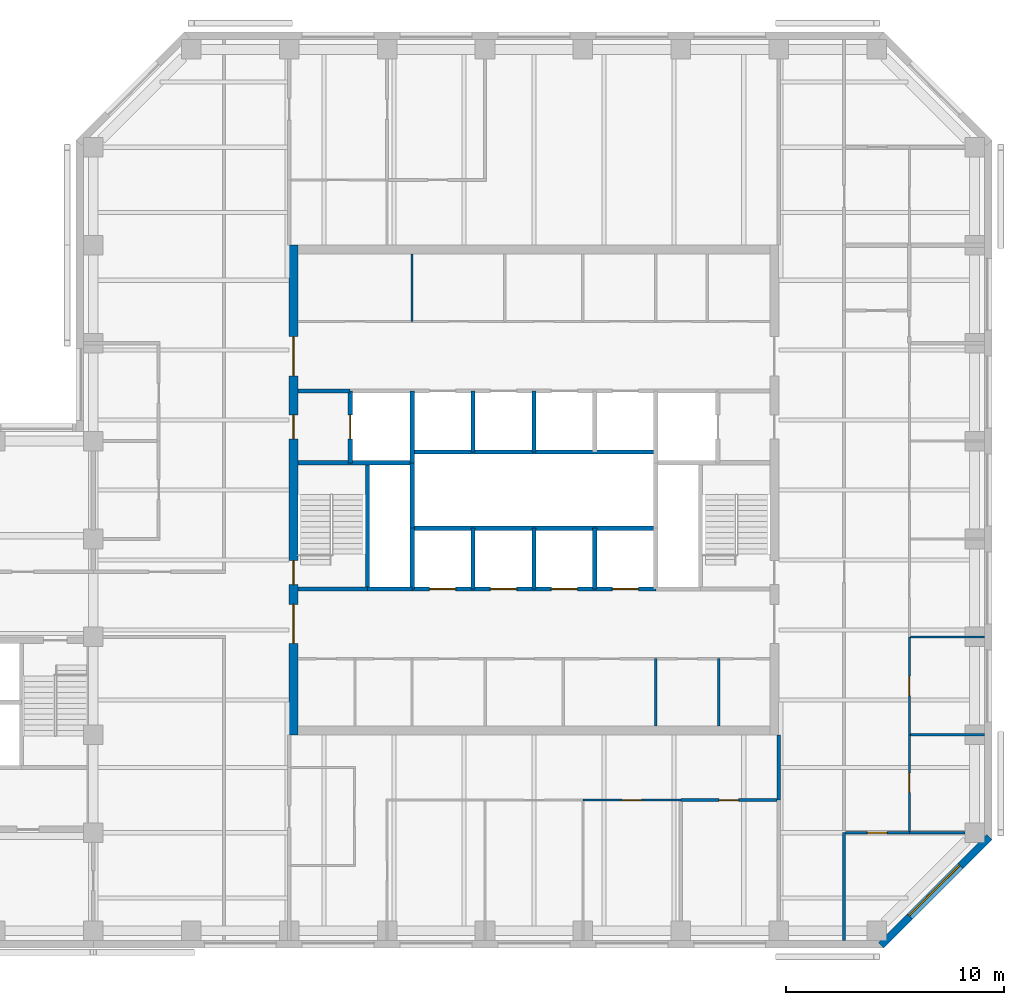
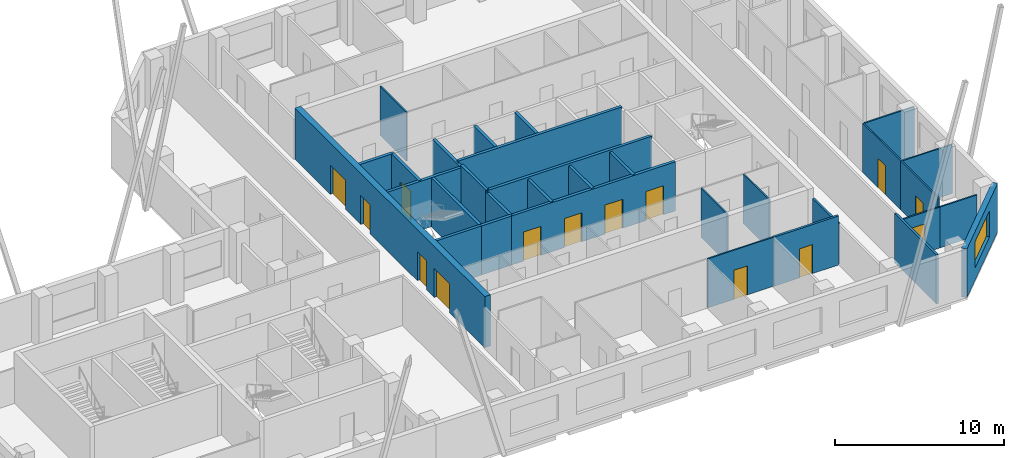
# One storey, part 5 of 9: 32 walls, 14 doors, 1 window, 15 openings.
"""IFC4 building model written with IfcOpenShell, lengths in metres."""

from ifc_helpers import new_model, si_unit, direction, frame, frame_2d, origin, place, context, subcontext, project, spatial, rectangle, extrude, material, layer, layer_set, constituent, constituent_set, type_object, element, fill, save


model = new_model("IFC4")

# Units and contexts
model_context = context("Model", 3, precision=1e-05, world=origin(), true_north=direction((0.0, 1.0)))
body_context = subcontext(model_context, "Body", "Model", "MODEL_VIEW")
ifc_project = project(units=[si_unit("LENGTHUNIT", "METRE"), si_unit("AREAUNIT", "SQUARE_METRE"), si_unit("VOLUMEUNIT", "CUBIC_METRE"), si_unit("PLANEANGLEUNIT", "RADIAN"), si_unit("MASSUNIT", "GRAM", prefix="KILO")], contexts=[model_context])

# Site, building, storey
site_placement = place(None, origin())
site = spatial("IfcSite", under=ifc_project, at=site_placement, CompositionType="ELEMENT")
building_placement = place(site_placement, origin())
building = spatial("IfcBuilding", under=site, at=building_placement, Name="Quoin Convention Tower", CompositionType="ELEMENT")
storey_placement = place(building_placement, frame((0.0, 0.0, 203.199951171875)))
storey = spatial("IfcBuildingStorey", under=building, at=storey_placement, Name="L53", CompositionType="ELEMENT", Elevation=203.199951171875)

# Wall, opening, door
ifc_material_1 = material(Name="Plasterboard")
ifc_layer_1 = layer(ifc_material_1, 0.012451171875, Name="Finish")
ifc_material_2 = material(Name="Steel stud framing", Category="steel")
ifc_layer_2 = layer(ifc_material_2, 0.125, Name="Structure")
ifc_layer_3 = layer(ifc_material_1, 0.012451171875, Name="Finish")
ifc_layer_set_1 = layer_set([ifc_layer_1, ifc_layer_2, ifc_layer_3], Name="Steel stud framing")
wall_type_1 = type_object("IfcWallType", Name="Acoustic partition 150", PredefinedType="PARTITIONING", material=ifc_layer_set_1)
wall_1_placement = place(storey_placement, frame((63.0, 46.5, 0.0), z_axis=(0.0, 0.0, 1.0), x_axis=(1.0, 0.0, 0.0)))
wall_1 = element("IfcWall", 1, at=wall_1_placement, inside=storey, type_object=wall_type_1, Name="pw-L53-011", PredefinedType="PARTITIONING", context=body_context, shape_type="SweptSolid", body=[
    extrude(rectangle(XDim=4.425048828125, YDim=0.14990234375, at=frame_2d((2.21240234375, 0.0))), origin(), (0.0, 0.0, 1.0), 3.550048828125),
])
opening_1_placement = place(wall_1_placement, frame((1.75, 0.0, 0.0)))
opening_1 = element("IfcOpeningElement", 2, at=opening_1_placement, cuts=wall_1, Name="Opening DOH8-04", PredefinedType="OPENING", context=body_context, shape_type="SweptSolid", body=[
    extrude(rectangle(XDim=0.89990234375, YDim=2.10009765625, at=frame_2d((0.449951171875, 1.050048828125))), frame((0.0, 0.0849609375, 0.0), z_axis=(0.0, -1.0, 0.0), x_axis=(1.0, 0.0, 0.0)), (0.0, 0.0, 1.0), 0.169921875),
])
ifc_material_3 = material(Name="Steel door leaf", Category="steel")
door_type_1 = type_object("IfcDoorType", Name="Office door 900 x 2100", OperationType="SINGLE_SWING_RIGHT", PredefinedType="DOOR", material=ifc_material_3)
door_1_placement = place(opening_1_placement, origin())
door_1 = element("IfcDoor", 3, at=door_1_placement, inside=storey, type_object=door_type_1, Name="dr-L53-23", OperationType="SINGLE_SWING_RIGHT", OverallHeight=2.10009765625, OverallWidth=0.89990234375, PredefinedType="DOOR", context=body_context, shape_type="SweptSolid", body=[
    extrude(rectangle(XDim=0.89990234375, YDim=2.10009765625, at=frame_2d((0.449951171875, 1.050048828125))), frame((0.0, 0.02490234375, 0.0), z_axis=(0.0, -1.0, 0.0), x_axis=(1.0, 0.0, 0.0)), (0.0, 0.0, 1.0), 0.050048828125),
])
fill(opening_1, door_1)

# Wall, opening, window
ifc_material_4 = material(Name="Brick masonry", Category="masonry")
ifc_layer_4 = layer(ifc_material_4, 0.35009765625)
ifc_layer_set_2 = layer_set([ifc_layer_4], Name="Brick masonry")
wall_type_2 = type_object("IfcWallType", Name="Brick facade wall", PredefinedType="STANDARD", material=ifc_layer_set_2)
wall_2_placement = place(storey_placement, frame((72.20751953125, 39.82373046875, 0.0), z_axis=(0.0, 0.0, 1.0), x_axis=(0.707106781187, 0.707106781187, 0.0)))
wall_2 = element("IfcWall", 4, at=wall_2_placement, inside=storey, type_object=wall_type_2, Name="fw-L53-72000_40500", PredefinedType="STANDARD", context=body_context, shape_type="SweptSolid", body=[
    extrude(rectangle(XDim=7.02685546875, YDim=0.35009765625, at=frame_2d((3.513427734375, 0.0))), origin(), (0.0, 0.0, 1.0), 3.525146484375),
])
opening_2_placement = place(wall_2_placement, frame((1.86328125, 0.0, 0.89990234375)))
opening_2 = element("IfcOpeningElement", 5, at=opening_2_placement, cuts=wall_2, Name="Opening W-02", PredefinedType="OPENING", context=body_context, shape_type="SweptSolid", body=[
    extrude(rectangle(XDim=3.300048828125, YDim=1.89990234375, at=frame_2d((1.64990234375, 0.949951171875))), frame((0.0, 0.18505859375, 0.0), z_axis=(0.0, -1.0, 0.0), x_axis=(1.0, 0.0, 0.0)), (0.0, 0.0, 1.0), 0.3701171875),
])
ifc_material_5 = material(Name="Aluminium", Category="aluminium")
ifc_constituent_1 = constituent(ifc_material_5, Name="Frame")
ifc_material_6 = material(Name="Insulated glass", Category="glass")
ifc_constituent_2 = constituent(ifc_material_6, Name="Glazing")
ifc_constituent_set = constituent_set(constituents=[ifc_constituent_1, ifc_constituent_2], Name="Aluminium")
window_type = type_object("IfcWindowType", Name="Office window", PartitioningType="DOUBLE_PANEL_VERTICAL", PredefinedType="WINDOW", material=ifc_constituent_set)
window_placement = place(opening_2_placement, origin())
window = element("IfcWindow", 6, at=window_placement, inside=storey, type_object=window_type, Name="win-L53-74692_42308", OverallHeight=1.89990234375, OverallWidth=3.300048828125, PartitioningType="SINGLE_PANEL", PredefinedType="WINDOW", context=body_context, shape_type="SweptSolid", body=[
    extrude(rectangle(XDim=3.300048828125, YDim=1.89990234375, at=frame_2d((1.64990234375, 0.949951171875))), frame((0.0, 0.0849609375, 0.0), z_axis=(0.0, -1.0, 0.0), x_axis=(1.0, 0.0, 0.0)), (0.0, 0.0, 1.0), 0.06005859375),
])
fill(opening_2, window)

# Walls
ifc_layer_5 = layer(ifc_material_1, 0.012451171875, Name="Finish")
ifc_layer_6 = layer(ifc_material_2, 0.074951171875, Name="Structure")
ifc_layer_7 = layer(ifc_material_1, 0.012451171875, Name="Finish")
ifc_layer_set_3 = layer_set([ifc_layer_5, ifc_layer_6, ifc_layer_7], Name="Steel stud framing")
wall_type_3 = type_object("IfcWallType", Name="Core partition wall", PredefinedType="PARTITIONING", material=ifc_layer_set_3)
for number, where, z_axis, x_axis, name in (
    (7, (50.64990234375, 68.5, 0.0), (0.0, 0.0, 1.0), (0.0, 1.0, 0.0), "cr-C1-L53-v5650_19000"),
    (8, (61.85009765625, 49.89990234375, 0.0), (0.0, 0.0, 1.0), (0.0, 1.0, 0.0), "cr-C1-L53-v16850_400"),
    (9, (64.737548828125, 49.89990234375, 0.0), (0.0, 0.0, 1.0), (0.0, 1.0, 0.0), "cr-C1-L53-v19738_400"),
):
    element("IfcWall", number, at=place(storey_placement, frame(where, z_axis=z_axis, x_axis=x_axis)), inside=storey, type_object=wall_type_3, Name=name, PredefinedType="PARTITIONING", context=body_context, shape_type="SweptSolid", body=[
        extrude(rectangle(XDim=3.10009765625, YDim=0.10009765625, at=frame_2d((1.550048828125, 0.0))), origin(), (0.0, 0.0, 1.0), 3.550048828125),
    ])
ifc_material_7 = material(Name="Concrete C50", Category="concrete")
ifc_layer_8 = layer(ifc_material_7, 0.199951171875)
ifc_layer_set_4 = layer_set([ifc_layer_8], Name="Concrete C50")
wall_type_4 = type_object("IfcWallType", Name="Core shaft wall", PredefinedType="SOLIDWALL", material=ifc_layer_set_4)
wall_3_placement = place(storey_placement, frame((48.60009765625, 56.199951171875, 0.0), z_axis=(0.0, 0.0, 1.0), x_axis=(1.0, 0.0, 0.0)))
element("IfcWall", 10, at=wall_3_placement, inside=storey, type_object=wall_type_4, Name="cr-C1-L53-h6700_3600", PredefinedType="SOLIDWALL", context=body_context, shape_type="SweptSolid", body=[
    extrude(rectangle(XDim=2.0498046875, YDim=0.199951171875, at=frame_2d((1.02490234375, 0.0))), origin(), (0.0, 0.0, 1.0), 3.550048828125),
])
wall_4_placement = place(storey_placement, frame((45.39990234375, 56.199951171875, 0.0), z_axis=(0.0, 0.0, 1.0), x_axis=(1.0, 0.0, 0.0)))
element("IfcWall", 11, at=wall_4_placement, inside=storey, type_object=wall_type_4, Name="cr-C1-L53-h6700_400", PredefinedType="SOLIDWALL", context=body_context, shape_type="SweptSolid", body=[
    extrude(rectangle(XDim=3.2001953125, YDim=0.199951171875, at=frame_2d((1.60009765625, 0.0))), origin(), (0.0, 0.0, 1.0), 3.550048828125),
])

# Wall, openings, doors
wall_5_placement = place(storey_placement, frame((50.64990234375, 56.199951171875, 0.0), z_axis=(0.0, 0.0, 1.0), x_axis=(1.0, 0.0, 0.0)))
wall_5 = element("IfcWall", 12, at=wall_5_placement, inside=storey, type_object=wall_type_4, Name="cr-C1-L53-h6700_5650", PredefinedType="SOLIDWALL", context=body_context, shape_type="SweptSolid", body=[
    extrude(rectangle(XDim=11.2001953125, YDim=0.199951171875, at=frame_2d((5.60009765625, 0.0))), origin(), (0.0, 0.0, 1.0), 3.550048828125),
])
opening_3_placement = place(wall_5_placement, frame((0.800048828125, 0.0, 0.0)))
opening_3 = element("IfcOpeningElement", 13, at=opening_3_placement, cuts=wall_5, Name="Opening LDH1", PredefinedType="OPENING", context=body_context, shape_type="SweptSolid", body=[
    extrude(rectangle(XDim=1.199951171875, YDim=2.10009765625, at=frame_2d((0.60009765625, 1.050048828125))), frame((0.0, 0.10986328125, 0.0), z_axis=(0.0, -1.0, 0.0), x_axis=(1.0, 0.0, 0.0)), (0.0, 0.0, 1.0), 0.219970703125),
])
opening_4_placement = place(wall_5_placement, frame((3.60009765625, 0.0, 0.0)))
opening_4 = element("IfcOpeningElement", 14, at=opening_4_placement, cuts=wall_5, Name="Opening LDH2", PredefinedType="OPENING", context=body_context, shape_type="SweptSolid", body=[
    extrude(rectangle(XDim=1.199951171875, YDim=2.10009765625, at=frame_2d((0.60009765625, 1.050048828125))), frame((0.0, 0.10986328125, 0.0), z_axis=(0.0, -1.0, 0.0), x_axis=(1.0, 0.0, 0.0)), (0.0, 0.0, 1.0), 0.219970703125),
])
opening_5_placement = place(wall_5_placement, frame((6.39990234375, 0.0, 0.0)))
opening_5 = element("IfcOpeningElement", 15, at=opening_5_placement, cuts=wall_5, Name="Opening LDH3", PredefinedType="OPENING", context=body_context, shape_type="SweptSolid", body=[
    extrude(rectangle(XDim=1.199951171875, YDim=2.10009765625, at=frame_2d((0.60009765625, 1.050048828125))), frame((0.0, 0.10986328125, 0.0), z_axis=(0.0, -1.0, 0.0), x_axis=(1.0, 0.0, 0.0)), (0.0, 0.0, 1.0), 0.219970703125),
])
opening_6_placement = place(wall_5_placement, frame((9.199951171875, 0.0, 0.0)))
opening_6 = element("IfcOpeningElement", 16, at=opening_6_placement, cuts=wall_5, Name="Opening LDH4", PredefinedType="OPENING", context=body_context, shape_type="SweptSolid", body=[
    extrude(rectangle(XDim=1.199951171875, YDim=2.10009765625, at=frame_2d((0.60009765625, 1.050048828125))), frame((0.0, 0.10986328125, 0.0), z_axis=(0.0, -1.0, 0.0), x_axis=(1.0, 0.0, 0.0)), (0.0, 0.0, 1.0), 0.219970703125),
])
door_type_2 = type_object("IfcDoorType", Name="Lift landing door 1200 x 2100", OperationType="DOUBLE_DOOR_SLIDING", PredefinedType="DOOR", material=ifc_material_3)
door_2_placement = place(opening_3_placement, origin())
door_2 = element("IfcDoor", 17, at=door_2_placement, inside=storey, type_object=door_type_2, Name="cd-C1-L53-R20-lobA-LDH1", OperationType="DOUBLE_DOOR_SLIDING", OverallHeight=2.10009765625, OverallWidth=1.199951171875, PredefinedType="DOOR", context=body_context, shape_type="SweptSolid", body=[
    extrude(rectangle(XDim=1.199951171875, YDim=2.10009765625, at=frame_2d((0.60009765625, 1.050048828125))), frame((0.0, 0.02490234375, 0.0), z_axis=(0.0, -1.0, 0.0), x_axis=(1.0, 0.0, 0.0)), (0.0, 0.0, 1.0), 0.050048828125),
])
fill(opening_3, door_2)
door_3_placement = place(opening_4_placement, origin())
door_3 = element("IfcDoor", 18, at=door_3_placement, inside=storey, type_object=door_type_2, Name="cd-C1-L53-R21-lobA-LDH2", OperationType="DOUBLE_DOOR_SLIDING", OverallHeight=2.10009765625, OverallWidth=1.199951171875, PredefinedType="DOOR", context=body_context, shape_type="SweptSolid", body=[
    extrude(rectangle(XDim=1.199951171875, YDim=2.10009765625, at=frame_2d((0.60009765625, 1.050048828125))), frame((0.0, 0.02490234375, 0.0), z_axis=(0.0, -1.0, 0.0), x_axis=(1.0, 0.0, 0.0)), (0.0, 0.0, 1.0), 0.050048828125),
])
fill(opening_4, door_3)
door_4_placement = place(opening_5_placement, origin())
door_4 = element("IfcDoor", 19, at=door_4_placement, inside=storey, type_object=door_type_2, Name="cd-C1-L53-R22-lobA-LDH3", OperationType="DOUBLE_DOOR_SLIDING", OverallHeight=2.10009765625, OverallWidth=1.199951171875, PredefinedType="DOOR", context=body_context, shape_type="SweptSolid", body=[
    extrude(rectangle(XDim=1.199951171875, YDim=2.10009765625, at=frame_2d((0.60009765625, 1.050048828125))), frame((0.0, 0.02490234375, 0.0), z_axis=(0.0, -1.0, 0.0), x_axis=(1.0, 0.0, 0.0)), (0.0, 0.0, 1.0), 0.050048828125),
])
fill(opening_5, door_4)
door_5_placement = place(opening_6_placement, origin())
door_5 = element("IfcDoor", 20, at=door_5_placement, inside=storey, type_object=door_type_2, Name="cd-C1-L53-R23-lobA-LDH4", OperationType="DOUBLE_DOOR_SLIDING", OverallHeight=2.10009765625, OverallWidth=1.199951171875, PredefinedType="DOOR", context=body_context, shape_type="SweptSolid", body=[
    extrude(rectangle(XDim=1.199951171875, YDim=2.10009765625, at=frame_2d((0.60009765625, 1.050048828125))), frame((0.0, 0.02490234375, 0.0), z_axis=(0.0, -1.0, 0.0), x_axis=(1.0, 0.0, 0.0)), (0.0, 0.0, 1.0), 0.050048828125),
])
fill(opening_6, door_5)

# Walls
wall_6_placement = place(storey_placement, frame((45.39990234375, 62.0, 0.0), z_axis=(0.0, 0.0, 1.0), x_axis=(1.0, 0.0, 0.0)))
element("IfcWall", 21, at=wall_6_placement, inside=storey, type_object=wall_type_4, Name="cr-C1-L53-h12500_400", PredefinedType="SOLIDWALL", context=body_context, shape_type="SweptSolid", body=[
    extrude(rectangle(XDim=5.25, YDim=0.199951171875, at=frame_2d((2.625, 0.0))), origin(), (0.0, 0.0, 1.0), 3.550048828125),
])
wall_7_placement = place(storey_placement, frame((45.39990234375, 65.300048828125, 0.0), z_axis=(0.0, 0.0, 1.0), x_axis=(1.0, 0.0, 0.0)))
element("IfcWall", 22, at=wall_7_placement, inside=storey, type_object=wall_type_4, Name="cr-C1-L53-h15800_400", PredefinedType="SOLIDWALL", context=body_context, shape_type="SweptSolid", body=[
    extrude(rectangle(XDim=2.400146484375, YDim=0.199951171875, at=frame_2d((1.2001953125, 0.0))), origin(), (0.0, 0.0, 1.0), 3.550048828125),
])

# Wall, opening, door
wall_8_placement = place(storey_placement, frame((47.800048828125, 62.0, 0.0), z_axis=(0.0, 0.0, 1.0), x_axis=(0.0, 1.0, 0.0)))
wall_8 = element("IfcWall", 23, at=wall_8_placement, inside=storey, type_object=wall_type_4, Name="cr-C1-L53-v2800_12500", PredefinedType="SOLIDWALL", context=body_context, shape_type="SweptSolid", body=[
    extrude(rectangle(XDim=3.300048828125, YDim=0.199951171875, at=frame_2d((1.64990234375, 0.0))), origin(), (0.0, 0.0, 1.0), 3.550048828125),
])
opening_7_placement = place(wall_8_placement, frame((1.10009765625, 0.0, 0.0)))
opening_7 = element("IfcOpeningElement", 24, at=opening_7_placement, cuts=wall_8, Name="Opening LDFL1", PredefinedType="OPENING", context=body_context, shape_type="SweptSolid", body=[
    extrude(rectangle(XDim=1.10009765625, YDim=2.10009765625, at=frame_2d((0.550048828125, 1.050048828125))), frame((0.0, 0.10986328125, 0.0), z_axis=(0.0, -1.0, 0.0), x_axis=(1.0, 0.0, 0.0)), (0.0, 0.0, 1.0), 0.219970703125),
])
door_type_3 = type_object("IfcDoorType", Name="Lift landing door 1100 x 2100", OperationType="DOUBLE_DOOR_SLIDING", PredefinedType="DOOR", material=ifc_material_3)
door_6_placement = place(opening_7_placement, origin())
door_6 = element("IfcDoor", 25, at=door_6_placement, inside=storey, type_object=door_type_3, Name="cd-C1-L53-FLW-FFW-LDFL1", OperationType="DOUBLE_DOOR_SLIDING", OverallHeight=2.10009765625, OverallWidth=1.10009765625, PredefinedType="DOOR", context=body_context, shape_type="SweptSolid", body=[
    extrude(rectangle(XDim=1.10009765625, YDim=2.10009765625, at=frame_2d((0.550048828125, 1.050048828125))), frame((0.0, 0.02490234375, 0.0), z_axis=(0.0, -1.0, 0.0), x_axis=(1.0, 0.0, 0.0)), (0.0, 0.0, 1.0), 0.050048828125),
])
fill(opening_7, door_6)

# Walls
wall_9_placement = place(storey_placement, frame((48.60009765625, 56.199951171875, 0.0), z_axis=(0.0, 0.0, 1.0), x_axis=(0.0, 1.0, 0.0)))
element("IfcWall", 26, at=wall_9_placement, inside=storey, type_object=wall_type_4, Name="cr-C1-L53-v3600_6700", PredefinedType="SOLIDWALL", context=body_context, shape_type="SweptSolid", body=[
    extrude(rectangle(XDim=5.800048828125, YDim=0.199951171875, at=frame_2d((2.89990234375, 0.0))), origin(), (0.0, 0.0, 1.0), 3.550048828125),
])
wall_10_placement = place(storey_placement, frame((50.64990234375, 56.199951171875, 0.0), z_axis=(0.0, 0.0, 1.0), x_axis=(0.0, 1.0, 0.0)))
element("IfcWall", 27, at=wall_10_placement, inside=storey, type_object=wall_type_4, Name="cr-C1-L53-v5650_6700", PredefinedType="SOLIDWALL", context=body_context, shape_type="SweptSolid", body=[
    extrude(rectangle(XDim=2.800048828125, YDim=0.199951171875, at=frame_2d((1.39990234375, 0.0))), origin(), (0.0, 0.0, 1.0), 3.550048828125),
])
wall_11_placement = place(storey_placement, frame((50.64990234375, 62.0, 0.0), z_axis=(0.0, 0.0, 1.0), x_axis=(0.0, 1.0, 0.0)))
element("IfcWall", 28, at=wall_11_placement, inside=storey, type_object=wall_type_4, Name="cr-C1-L53-v5650_12500", PredefinedType="SOLIDWALL", context=body_context, shape_type="SweptSolid", body=[
    extrude(rectangle(XDim=3.300048828125, YDim=0.199951171875, at=frame_2d((1.64990234375, 0.0))), origin(), (0.0, 0.0, 1.0), 3.550048828125),
])
for number, where, z_axis, x_axis, name in (
    (29, (53.449951171875, 56.199951171875, 0.0), (0.0, 0.0, 1.0), (0.0, 1.0, 0.0), "cr-C1-L53-v8450_6700"),
    (30, (53.449951171875, 62.5, 0.0), (0.0, 0.0, 1.0), (0.0, 1.0, 0.0), "cr-C1-L53-v8450_13000"),
    (31, (56.25, 56.199951171875, 0.0), (0.0, 0.0, 1.0), (0.0, 1.0, 0.0), "cr-C1-L53-v11250_6700"),
    (32, (56.25, 62.5, 0.0), (0.0, 0.0, 1.0), (0.0, 1.0, 0.0), "cr-C1-L53-v11250_13000"),
    (33, (59.050048828125, 56.199951171875, 0.0), (0.0, 0.0, 1.0), (0.0, 1.0, 0.0), "cr-C1-L53-v14050_6700"),
):
    element("IfcWall", number, at=place(storey_placement, frame(where, z_axis=z_axis, x_axis=x_axis)), inside=storey, type_object=wall_type_4, Name=name, PredefinedType="SOLIDWALL", context=body_context, shape_type="SweptSolid", body=[
        extrude(rectangle(XDim=2.800048828125, YDim=0.199951171875, at=frame_2d((1.39990234375, 0.0))), origin(), (0.0, 0.0, 1.0), 3.550048828125),
    ])
ifc_layer_9 = layer(ifc_material_7, 0.199951171875)
ifc_layer_set_5 = layer_set([ifc_layer_9], Name="Concrete C50")
wall_type_5 = type_object("IfcWallType", Name="Core shaft wall to the floor level over", PredefinedType="SOLIDWALL", material=ifc_layer_set_5)
for number, where, z_axis, x_axis, name in (
    (34, (50.64990234375, 59.0, 0.0), (0.0, 0.0, 1.0), (1.0, 0.0, 0.0), "cr-C1-L53-h9500_5650"),
    (35, (50.64990234375, 62.5, 0.0), (0.0, 0.0, 1.0), (1.0, 0.0, 0.0), "cr-C1-L53-h13000_5650"),
):
    element("IfcWall", number, at=place(storey_placement, frame(where, z_axis=z_axis, x_axis=x_axis)), inside=storey, type_object=wall_type_5, Name=name, PredefinedType="SOLIDWALL", context=body_context, shape_type="SweptSolid", body=[
        extrude(rectangle(XDim=11.2001953125, YDim=0.199951171875, at=frame_2d((5.60009765625, 0.0))), origin(), (0.0, 0.0, 1.0), 3.699951171875),
    ])
wall_12_placement = place(storey_placement, frame((50.64990234375, 59.0, 0.0), z_axis=(0.0, 0.0, 1.0), x_axis=(0.0, 1.0, 0.0)))
element("IfcWall", 36, at=wall_12_placement, inside=storey, type_object=wall_type_5, Name="cr-C1-L53-v5650_9500", PredefinedType="SOLIDWALL", context=body_context, shape_type="SweptSolid", body=[
    extrude(rectangle(XDim=3.0, YDim=0.199951171875, at=frame_2d((1.5, 0.0))), origin(), (0.0, 0.0, 1.0), 3.699951171875),
])
ifc_layer_10 = layer(ifc_material_1, 0.012451171875, Name="Finish")
ifc_layer_11 = layer(ifc_material_2, 0.125, Name="Structure")
ifc_layer_12 = layer(ifc_material_1, 0.012451171875, Name="Finish")
ifc_layer_set_6 = layer_set([ifc_layer_10, ifc_layer_11, ifc_layer_12], Name="Steel stud framing")
wall_type_6 = type_object("IfcWallType", Name="Corridor wall 150", PredefinedType="PARTITIONING", material=ifc_layer_set_6)
wall_13_placement = place(storey_placement, frame((70.5, 40.050048828125, 0.0), z_axis=(0.0, 0.0, 1.0), x_axis=(0.0, 1.0, 0.0)))
element("IfcWall", 37, at=wall_13_placement, inside=storey, type_object=wall_type_6, Name="pw-L53-045", PredefinedType="PARTITIONING", context=body_context, shape_type="SweptSolid", body=[
    extrude(rectangle(XDim=4.949951171875, YDim=0.14990234375, at=frame_2d((2.47509765625, 0.0))), origin(), (0.0, 0.0, 1.0), 3.550048828125),
])
ifc_layer_13 = layer(ifc_material_1, 0.012451171875, Name="Finish")
ifc_layer_14 = layer(ifc_material_2, 0.125, Name="Structure")
ifc_layer_15 = layer(ifc_material_1, 0.012451171875, Name="Finish")
ifc_layer_set_7 = layer_set([ifc_layer_13, ifc_layer_14, ifc_layer_15], Name="Steel stud framing")
wall_type_7 = type_object("IfcWallType", Name="Corridor wall 150 under beam 612", PredefinedType="PARTITIONING", material=ifc_layer_set_7)
wall_14_placement = place(storey_placement, frame((67.5, 46.5, 0.0), z_axis=(0.0, 0.0, 1.0), x_axis=(0.0, 1.0, 0.0)))
element("IfcWall", 38, at=wall_14_placement, inside=storey, type_object=wall_type_7, Name="pw-L53-055", PredefinedType="PARTITIONING", context=body_context, shape_type="SweptSolid", body=[
    extrude(rectangle(XDim=3.0, YDim=0.14990234375, at=frame_2d((1.5, 0.0))), origin(), (0.0, 0.0, 1.0), 2.93798828125),
])

# Wall, openings, doors
ifc_layer_16 = layer(ifc_material_7, 0.39990234375)
ifc_layer_set_8 = layer_set([ifc_layer_16], Name="Concrete C50")
wall_type_8 = type_object("IfcWallType", Name="RC CORE WALL 400 C50", PredefinedType="SHEAR", material=ifc_layer_set_8)
wall_15_placement = place(storey_placement, frame((45.199951171875, 49.5, 0.0), z_axis=(0.0, 0.0, 1.0), x_axis=(0.0, 1.0, 0.0)))
wall_15 = element("IfcWall", 39, at=wall_15_placement, inside=storey, type_object=wall_type_8, Name="cwl-C1-L53-W", PredefinedType="SHEAR", context=body_context, shape_type="SweptSolid", body=[
    extrude(rectangle(XDim=22.5, YDim=0.39990234375, at=frame_2d((11.25, 0.0))), origin(), (0.0, 0.0, 1.0), 3.699951171875),
])
opening_8_placement = place(wall_15_placement, frame((4.199951171875, 0.0, 0.0)))
opening_8 = element("IfcOpeningElement", 40, at=opening_8_placement, cuts=wall_15, Name="Opening DCV0-59", PredefinedType="OPENING", context=body_context, shape_type="SweptSolid", body=[
    extrude(rectangle(XDim=1.800048828125, YDim=2.10009765625, at=frame_2d((0.89990234375, 1.050048828125))), frame((0.0, 0.2099609375, 0.0), z_axis=(0.0, -1.0, 0.0), x_axis=(1.0, 0.0, 0.0)), (0.0, 0.0, 1.0), 0.419921875),
])
opening_9_placement = place(wall_15_placement, frame((6.89990234375, 0.0, 0.0)))
opening_9 = element("IfcOpeningElement", 41, at=opening_9_placement, cuts=wall_15, Name="Opening SD1", PredefinedType="OPENING", context=body_context, shape_type="SweptSolid", body=[
    extrude(rectangle(XDim=1.10009765625, YDim=2.10009765625, at=frame_2d((0.550048828125, 1.050048828125))), frame((0.0, 0.2099609375, 0.0), z_axis=(0.0, -1.0, 0.0), x_axis=(1.0, 0.0, 0.0)), (0.0, 0.0, 1.0), 0.419921875),
])
opening_10_placement = place(wall_15_placement, frame((13.60009765625, 0.0, 0.0)))
opening_10 = element("IfcOpeningElement", 42, at=opening_10_placement, cuts=wall_15, Name="Opening DCV0-58", PredefinedType="OPENING", context=body_context, shape_type="SweptSolid", body=[
    extrude(rectangle(XDim=1.10009765625, YDim=2.10009765625, at=frame_2d((0.550048828125, 1.050048828125))), frame((0.0, 0.2099609375, 0.0), z_axis=(0.0, -1.0, 0.0), x_axis=(1.0, 0.0, 0.0)), (0.0, 0.0, 1.0), 0.419921875),
])
opening_11_placement = place(wall_15_placement, frame((16.5, 0.0, 0.0)))
opening_11 = element("IfcOpeningElement", 43, at=opening_11_placement, cuts=wall_15, Name="Opening DCV0-59", PredefinedType="OPENING", context=body_context, shape_type="SweptSolid", body=[
    extrude(rectangle(XDim=1.800048828125, YDim=2.10009765625, at=frame_2d((0.89990234375, 1.050048828125))), frame((0.0, 0.2099609375, 0.0), z_axis=(0.0, -1.0, 0.0), x_axis=(1.0, 0.0, 0.0)), (0.0, 0.0, 1.0), 0.419921875),
])
door_type_4 = type_object("IfcDoorType", Name="Fire-fighting lobby door 1100 x 2100", OperationType="SINGLE_SWING_LEFT", PredefinedType="DOOR", material=ifc_material_3)
door_7_placement = place(opening_10_placement, frame((1.10009765625, 0.0, 0.0), z_axis=(0.0, 0.0, 1.0), x_axis=(-1.0, 0.0, 0.0)))
door_7 = element("IfcDoor", 44, at=door_7_placement, inside=storey, type_object=door_type_4, Name="cd-C1-L53-FFW-W", OperationType="SINGLE_SWING_LEFT", OverallHeight=2.10009765625, OverallWidth=1.10009765625, PredefinedType="DOOR", context=body_context, shape_type="SweptSolid", body=[
    extrude(rectangle(XDim=1.10009765625, YDim=2.10009765625, at=frame_2d((0.550048828125, 1.050048828125))), frame((0.0, 0.02490234375, 0.0), z_axis=(0.0, -1.0, 0.0), x_axis=(1.0, 0.0, 0.0)), (0.0, 0.0, 1.0), 0.050048828125),
])
fill(opening_10, door_7)
door_type_5 = type_object("IfcDoorType", Name="Lift lobby door 1800 x 2100", OperationType="SINGLE_SWING_LEFT", PredefinedType="DOOR", material=ifc_material_3)
door_8_placement = place(opening_8_placement, frame((1.800048828125, 0.0, 0.0), z_axis=(0.0, 0.0, 1.0), x_axis=(-1.0, 0.0, 0.0)))
door_8 = element("IfcDoor", 45, at=door_8_placement, inside=storey, type_object=door_type_5, Name="cd-C1-L53-lobA-W", OperationType="SINGLE_SWING_LEFT", OverallHeight=2.10009765625, OverallWidth=1.800048828125, PredefinedType="DOOR", context=body_context, shape_type="SweptSolid", body=[
    extrude(rectangle(XDim=1.800048828125, YDim=2.10009765625, at=frame_2d((0.89990234375, 1.050048828125))), frame((0.0, 0.02490234375, 0.0), z_axis=(0.0, -1.0, 0.0), x_axis=(1.0, 0.0, 0.0)), (0.0, 0.0, 1.0), 0.050048828125),
])
fill(opening_8, door_8)
door_9_placement = place(opening_11_placement, frame((1.800048828125, 0.0, 0.0), z_axis=(0.0, 0.0, 1.0), x_axis=(-1.0, 0.0, 0.0)))
door_9 = element("IfcDoor", 46, at=door_9_placement, inside=storey, type_object=door_type_5, Name="cd-C1-L53-lobB-W", OperationType="SINGLE_SWING_LEFT", OverallHeight=2.10009765625, OverallWidth=1.800048828125, PredefinedType="DOOR", context=body_context, shape_type="SweptSolid", body=[
    extrude(rectangle(XDim=1.800048828125, YDim=2.10009765625, at=frame_2d((0.89990234375, 1.050048828125))), frame((0.0, 0.02490234375, 0.0), z_axis=(0.0, -1.0, 0.0), x_axis=(1.0, 0.0, 0.0)), (0.0, 0.0, 1.0), 0.050048828125),
])
fill(opening_11, door_9)
door_type_6 = type_object("IfcDoorType", Name="Stair door 1100 x 2100", OperationType="SINGLE_SWING_RIGHT", PredefinedType="DOOR", material=ifc_material_3)
door_10_placement = place(opening_9_placement, frame((1.10009765625, 0.0, 0.0), z_axis=(0.0, 0.0, 1.0), x_axis=(-1.0, 0.0, 0.0)))
door_10 = element("IfcDoor", 47, at=door_10_placement, inside=storey, type_object=door_type_6, Name="cd-C1-L53-STW-W", OperationType="SINGLE_SWING_RIGHT", OverallHeight=2.10009765625, OverallWidth=1.10009765625, PredefinedType="DOOR", context=body_context, shape_type="SweptSolid", body=[
    extrude(rectangle(XDim=1.10009765625, YDim=2.10009765625, at=frame_2d((0.550048828125, 1.050048828125))), frame((0.0, 0.02490234375, 0.0), z_axis=(0.0, -1.0, 0.0), x_axis=(1.0, 0.0, 0.0)), (0.0, 0.0, 1.0), 0.050048828125),
])
fill(opening_9, door_10)

# Wall, opening, door
ifc_layer_17 = layer(ifc_material_1, 0.012451171875, Name="Finish")
ifc_layer_18 = layer(ifc_material_2, 0.074951171875, Name="Structure")
ifc_layer_19 = layer(ifc_material_1, 0.012451171875, Name="Finish")
ifc_layer_set_9 = layer_set([ifc_layer_17, ifc_layer_18, ifc_layer_19], Name="Steel stud framing")
wall_type_9 = type_object("IfcWallType", Name="Stud partition 100", PredefinedType="PARTITIONING", material=ifc_layer_set_9)
wall_16_placement = place(storey_placement, frame((58.5, 46.5, 0.0), z_axis=(0.0, 0.0, 1.0), x_axis=(1.0, 0.0, 0.0)))
wall_16 = element("IfcWall", 48, at=wall_16_placement, inside=storey, type_object=wall_type_9, Name="pw-L53-010", PredefinedType="PARTITIONING", context=body_context, shape_type="SweptSolid", body=[
    extrude(rectangle(XDim=4.5, YDim=0.10009765625, at=frame_2d((2.25, 0.0))), origin(), (0.0, 0.0, 1.0), 3.550048828125),
])
opening_12_placement = place(wall_16_placement, frame((1.800048828125, 0.0, 0.0)))
opening_12 = element("IfcOpeningElement", 49, at=opening_12_placement, cuts=wall_16, Name="Opening DOH8-03", PredefinedType="OPENING", context=body_context, shape_type="SweptSolid", body=[
    extrude(rectangle(XDim=0.89990234375, YDim=2.10009765625, at=frame_2d((0.449951171875, 1.050048828125))), frame((0.0, 0.06005859375, 0.0), z_axis=(0.0, -1.0, 0.0), x_axis=(1.0, 0.0, 0.0)), (0.0, 0.0, 1.0), 0.1201171875),
])
door_11_placement = place(opening_12_placement, origin())
door_11 = element("IfcDoor", 50, at=door_11_placement, inside=storey, type_object=door_type_1, Name="dr-L53-22", OperationType="SINGLE_SWING_RIGHT", OverallHeight=2.10009765625, OverallWidth=0.89990234375, PredefinedType="DOOR", context=body_context, shape_type="SweptSolid", body=[
    extrude(rectangle(XDim=0.89990234375, YDim=2.10009765625, at=frame_2d((0.449951171875, 1.050048828125))), frame((0.0, 0.02490234375, 0.0), z_axis=(0.0, -1.0, 0.0), x_axis=(1.0, 0.0, 0.0)), (0.0, 0.0, 1.0), 0.050048828125),
])
fill(opening_12, door_11)

# Walls
for number, where, z_axis, x_axis, name in (
    (51, (73.550048828125, 49.5, 0.0), (0.0, 0.0, 1.0), (1.0, 0.0, 0.0), "pw-L53-014"),
    (52, (73.550048828125, 54.0, 0.0), (0.0, 0.0, 1.0), (1.0, 0.0, 0.0), "pw-L53-018"),
):
    element("IfcWall", number, at=place(storey_placement, frame(where, z_axis=z_axis, x_axis=x_axis)), inside=storey, type_object=wall_type_9, Name=name, PredefinedType="PARTITIONING", context=body_context, shape_type="SweptSolid", body=[
        extrude(rectangle(XDim=3.39990234375, YDim=0.10009765625, at=frame_2d((1.699951171875, 0.0))), origin(), (0.0, 0.0, 1.0), 3.550048828125),
    ])

# Wall, opening, door
wall_17_placement = place(storey_placement, frame((73.5, 45.050048828125, 0.0), z_axis=(0.0, 0.0, 1.0), x_axis=(0.0, 1.0, 0.0)))
wall_17 = element("IfcWall", 53, at=wall_17_placement, inside=storey, type_object=wall_type_9, Name="pw-L53-053", PredefinedType="PARTITIONING", context=body_context, shape_type="SweptSolid", body=[
    extrude(rectangle(XDim=4.449951171875, YDim=0.10009765625, at=frame_2d((2.22509765625, 0.0))), origin(), (0.0, 0.0, 1.0), 3.550048828125),
])
opening_13_placement = place(wall_17_placement, frame((1.800048828125, 0.0, 0.0)))
opening_13 = element("IfcOpeningElement", 54, at=opening_13_placement, cuts=wall_17, Name="Opening DOH8-16", PredefinedType="OPENING", context=body_context, shape_type="SweptSolid", body=[
    extrude(rectangle(XDim=0.89990234375, YDim=2.10009765625, at=frame_2d((0.449951171875, 1.050048828125))), frame((0.0, 0.06005859375, 0.0), z_axis=(0.0, -1.0, 0.0), x_axis=(1.0, 0.0, 0.0)), (0.0, 0.0, 1.0), 0.1201171875),
])
door_12_placement = place(opening_13_placement, origin())
door_12 = element("IfcDoor", 55, at=door_12_placement, inside=storey, type_object=door_type_1, Name="dr-L53-26", OperationType="SINGLE_SWING_RIGHT", OverallHeight=2.10009765625, OverallWidth=0.89990234375, PredefinedType="DOOR", context=body_context, shape_type="SweptSolid", body=[
    extrude(rectangle(XDim=0.89990234375, YDim=2.10009765625, at=frame_2d((0.449951171875, 1.050048828125))), frame((0.0, 0.02490234375, 0.0), z_axis=(0.0, -1.0, 0.0), x_axis=(1.0, 0.0, 0.0)), (0.0, 0.0, 1.0), 0.050048828125),
])
fill(opening_13, door_12)

wall_18_placement = place(storey_placement, frame((73.5, 49.5, 0.0), z_axis=(0.0, 0.0, 1.0), x_axis=(0.0, 1.0, 0.0)))
wall_18 = element("IfcWall", 56, at=wall_18_placement, inside=storey, type_object=wall_type_9, Name="pw-L53-059", PredefinedType="PARTITIONING", context=body_context, shape_type="SweptSolid", body=[
    extrude(rectangle(XDim=4.5, YDim=0.10009765625, at=frame_2d((2.25, 0.0))), origin(), (0.0, 0.0, 1.0), 3.550048828125),
])
opening_14_placement = place(wall_18_placement, frame((1.800048828125, 0.0, 0.0)))
opening_14 = element("IfcOpeningElement", 57, at=opening_14_placement, cuts=wall_18, Name="Opening DOH8-17", PredefinedType="OPENING", context=body_context, shape_type="SweptSolid", body=[
    extrude(rectangle(XDim=0.89990234375, YDim=2.10009765625, at=frame_2d((0.449951171875, 1.050048828125))), frame((0.0, 0.06005859375, 0.0), z_axis=(0.0, -1.0, 0.0), x_axis=(1.0, 0.0, 0.0)), (0.0, 0.0, 1.0), 0.1201171875),
])
door_13_placement = place(opening_14_placement, origin())
door_13 = element("IfcDoor", 58, at=door_13_placement, inside=storey, type_object=door_type_1, Name="dr-L53-27", OperationType="SINGLE_SWING_RIGHT", OverallHeight=2.10009765625, OverallWidth=0.89990234375, PredefinedType="DOOR", context=body_context, shape_type="SweptSolid", body=[
    extrude(rectangle(XDim=0.89990234375, YDim=2.10009765625, at=frame_2d((0.449951171875, 1.050048828125))), frame((0.0, 0.02490234375, 0.0), z_axis=(0.0, -1.0, 0.0), x_axis=(1.0, 0.0, 0.0)), (0.0, 0.0, 1.0), 0.050048828125),
])
fill(opening_14, door_13)

ifc_layer_20 = layer(ifc_material_1, 0.012451171875, Name="Finish")
ifc_layer_21 = layer(ifc_material_2, 0.074951171875, Name="Structure")
ifc_layer_22 = layer(ifc_material_1, 0.012451171875, Name="Finish")
ifc_layer_set_10 = layer_set([ifc_layer_20, ifc_layer_21, ifc_layer_22], Name="Steel stud framing")
wall_type_10 = type_object("IfcWallType", Name="Stud partition 100 under beam 602", PredefinedType="PARTITIONING", material=ifc_layer_set_10)
wall_19_placement = place(storey_placement, frame((70.574951171875, 45.0, 0.0), z_axis=(0.0, 0.0, 1.0), x_axis=(1.0, 0.0, 0.0)))
wall_19 = element("IfcWall", 59, at=wall_19_placement, inside=storey, type_object=wall_type_10, Name="pw-L53-005", PredefinedType="PARTITIONING", context=body_context, shape_type="SweptSolid", body=[
    extrude(rectangle(XDim=2.925048828125, YDim=0.10009765625, at=frame_2d((1.46240234375, 0.0))), origin(), (0.0, 0.0, 1.0), 2.947998046875),
])
opening_15_placement = place(wall_19_placement, frame((1.0, 0.0, 0.0)))
opening_15 = element("IfcOpeningElement", 60, at=opening_15_placement, cuts=wall_19, Name="Opening DOH8-01", PredefinedType="OPENING", context=body_context, shape_type="SweptSolid", body=[
    extrude(rectangle(XDim=0.89990234375, YDim=2.10009765625, at=frame_2d((0.449951171875, 1.050048828125))), frame((0.0, 0.06005859375, 0.0), z_axis=(0.0, -1.0, 0.0), x_axis=(1.0, 0.0, 0.0)), (0.0, 0.0, 1.0), 0.1201171875),
])
door_14_placement = place(opening_15_placement, origin())
door_14 = element("IfcDoor", 61, at=door_14_placement, inside=storey, type_object=door_type_1, Name="dr-L53-25", OperationType="SINGLE_SWING_RIGHT", OverallHeight=2.10009765625, OverallWidth=0.89990234375, PredefinedType="DOOR", context=body_context, shape_type="SweptSolid", body=[
    extrude(rectangle(XDim=0.89990234375, YDim=2.10009765625, at=frame_2d((0.449951171875, 1.050048828125))), frame((0.0, 0.02490234375, 0.0), z_axis=(0.0, -1.0, 0.0), x_axis=(1.0, 0.0, 0.0)), (0.0, 0.0, 1.0), 0.050048828125),
])
fill(opening_15, door_14)

# Wall
wall_20_placement = place(storey_placement, frame((73.5, 45.0, 0.0), z_axis=(0.0, 0.0, 1.0), x_axis=(1.0, 0.0, 0.0)))
element("IfcWall", 62, at=wall_20_placement, inside=storey, type_object=wall_type_10, Name="pw-L53-006", PredefinedType="PARTITIONING", context=body_context, shape_type="SweptSolid", body=[
    extrude(rectangle(XDim=2.550048828125, YDim=0.10009765625, at=frame_2d((1.27490234375, 0.0))), origin(), (0.0, 0.0, 1.0), 2.947998046875),
])

save(model, "model.ifc")
